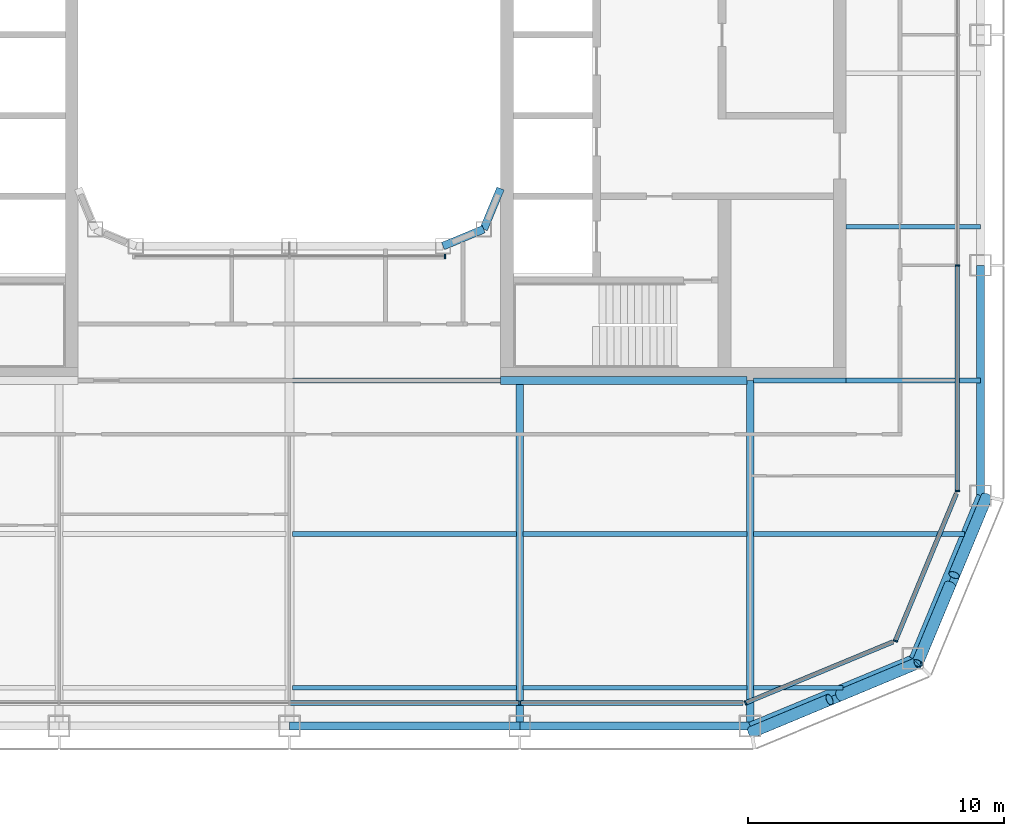
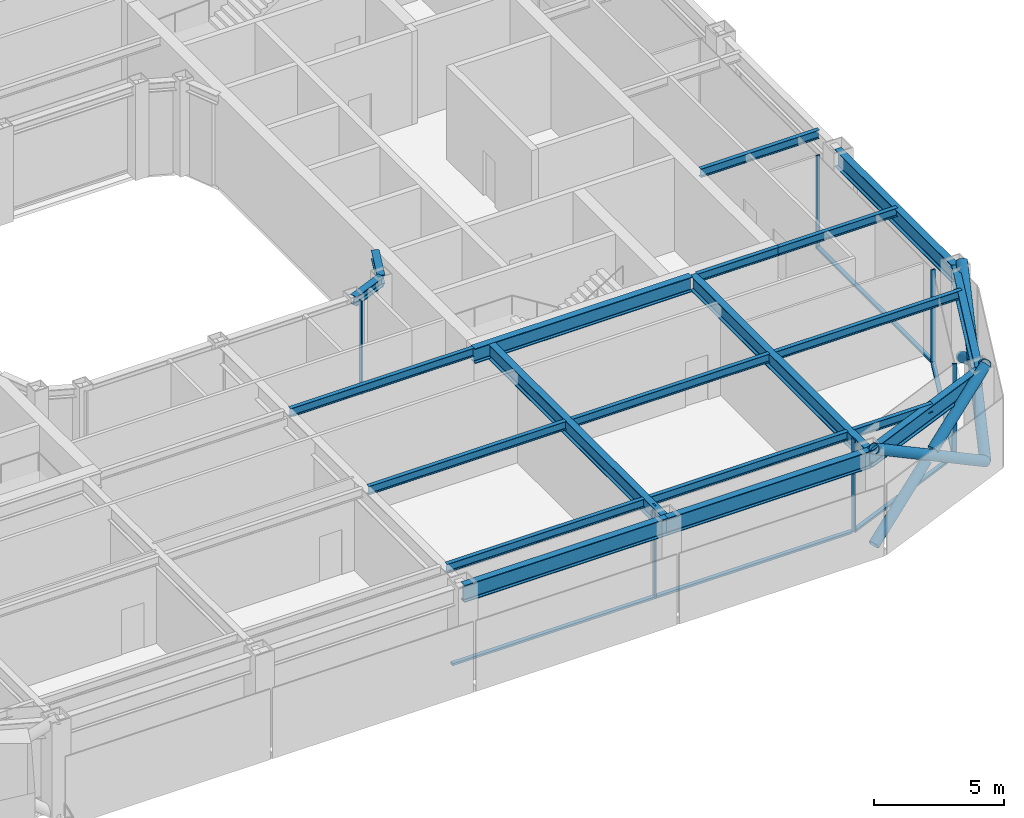
# One storey, part 4 of 23: 20 beams, 17 members, 5 elements without a shape of their own.
"""IFC4 building model written with IfcOpenShell, lengths in metres."""

import ifcopenshell
import ifcopenshell.guid

model = None  # the IFC model being written
_history = None  # IfcOwnerHistory: only IFC2X3 demands one
_inside = {}  # id of a spatial element -> (the spatial element, [elements in it])
_under = {}  # id of a project, library or spatial element -> (it, [spatial elements below it])
_declared = {}  # id of a project -> (the project, [libraries it declares])
_typed = {}  # id of a type object -> (the type object, [elements of that type])
_made_of = {}  # id of a material, layer set ... -> (it, [elements and type objects made of it])


def new_model(schema):
    """Start an empty IFC model of exactly this schema.

    Asked for "IFC4X3", IfcOpenShell would pick the latest addendum, in which some entities
    have other attributes; the version numbers below select the first issue.
    IFC2X3 requires an IfcOwnerHistory on every rooted entity: one is made here for all.
    """
    global model, _history
    if schema == "IFC4X3":
        model = ifcopenshell.file(schema_version=(4, 3, 0, 0))
    else:
        model = ifcopenshell.file(schema=schema)
    _inside.clear()
    _under.clear()
    _declared.clear()
    _typed.clear()
    _made_of.clear()
    _history = None
    if model.schema == "IFC2X3":
        org = make("IfcOrganization", Name="unknown")
        user = make(
            "IfcPersonAndOrganization",
            ThePerson=make("IfcPerson", FamilyName="unknown"),
            TheOrganization=org,
        )
        app = make(
            "IfcApplication",
            ApplicationDeveloper=org,
            Version="unknown",
            ApplicationFullName="unknown",
            ApplicationIdentifier="unknown",
        )
        _history = make(
            "IfcOwnerHistory",
            OwningUser=user,
            OwningApplication=app,
            ChangeAction="ADDED",
            CreationDate=0,
        )
    return model


def make(cls, **values):
    """One entity of the class cls with the attributes given. An attribute that is None is left unset."""
    return model.create_entity(
        cls, **{name: value for name, value in values.items() if value is not None}
    )


def rooted(cls, **values):
    """An entity with a GlobalId (a new one), such as an element, a storey or a relation."""
    return make(cls, GlobalId=ifcopenshell.guid.new(), OwnerHistory=_history, **values)


def si_unit(unit_type, name, prefix=None):
    """IfcSIUnit, for example si_unit("LENGTHUNIT", "METRE", prefix="MILLI")."""
    return make("IfcSIUnit", UnitType=unit_type, Prefix=prefix, Name=name)


def assignment(units):
    """IfcUnitAssignment: the units of a project."""
    return None if units is None else make("IfcUnitAssignment", Units=units)


def point(xyz):
    """IfcCartesianPoint."""
    return None if xyz is None else make("IfcCartesianPoint", Coordinates=xyz)


def direction(xyz):
    """IfcDirection."""
    return None if xyz is None else make("IfcDirection", DirectionRatios=xyz)


def frame(location, z_axis=None, x_axis=None):
    """IfcAxis2Placement3D, a coordinate frame: its origin and axes. An axis left out is left unset."""
    return make(
        "IfcAxis2Placement3D",
        Location=point(location),
        Axis=direction(z_axis),
        RefDirection=direction(x_axis),
    )


def frame_2d(location, x_axis=None):
    """IfcAxis2Placement2D, a coordinate frame in the plane: its origin and x axis."""
    return make(
        "IfcAxis2Placement2D", Location=point(location), RefDirection=direction(x_axis)
    )


def origin():
    """The frame at (0, 0, 0) with its axes left unset."""
    return frame((0.0, 0.0, 0.0))


def origin_2d():
    """The frame at (0, 0) in the plane with its x axis left unset."""
    return frame_2d((0.0, 0.0))


def place(relative_to, where):
    """IfcLocalPlacement: puts the frame where relative to a parent placement (None: the world)."""
    return make(
        "IfcLocalPlacement", PlacementRelTo=relative_to, RelativePlacement=where
    )


def context(
    kind, dimensions, precision=None, world=None, true_north=None, identifier=None
):
    """IfcGeometricRepresentationContext, for example the 3D "Model" context."""
    return make(
        "IfcGeometricRepresentationContext",
        ContextIdentifier=identifier,
        ContextType=kind,
        CoordinateSpaceDimension=dimensions,
        Precision=precision,
        WorldCoordinateSystem=world,
        TrueNorth=true_north,
    )


def subcontext(parent, identifier, kind, view, scale=None):
    """IfcGeometricRepresentationSubContext, for example "Body" below "Model"."""
    return make(
        "IfcGeometricRepresentationSubContext",
        ContextIdentifier=identifier,
        ContextType=kind,
        ParentContext=parent,
        TargetScale=scale,
        TargetView=view,
    )


def project(units=None, contexts=None):
    """IfcProject with its units and contexts."""
    return rooted(
        "IfcProject",
        Name="project",
        RepresentationContexts=contexts,
        UnitsInContext=assignment(units),
    )


def spatial(cls, under=None, at=None, **own):
    """A site, building, storey or space (cls), placed at a placement, below another one or the project."""
    s = rooted(cls, ObjectPlacement=at, **own)
    if under is not None:
        _under.setdefault(under.id(), (under, []))[1].append(s)
    return s


def profile(cls, at=None, kind="AREA", **sizes):
    """A parametric profile (cls). Its sizes go by their IFC names, for example OverallWidth=200.0."""
    return make(cls, ProfileType=kind, Position=at, **sizes)


def rectangle(**sizes):
    """IfcRectangleProfileDef."""
    return profile("IfcRectangleProfileDef", **sizes)


def hollow_circle(**sizes):
    """IfcCircleHollowProfileDef."""
    return profile("IfcCircleHollowProfileDef", **sizes)


def i_section(**sizes):
    """IfcIShapeProfileDef."""
    return profile("IfcIShapeProfileDef", **sizes)


def extrude(swept, where, along, depth):
    """IfcExtrudedAreaSolid: the profile swept, set in the frame where, extruded along a direction by depth."""
    return make(
        "IfcExtrudedAreaSolid",
        SweptArea=swept,
        Position=where,
        ExtrudedDirection=direction(along),
        Depth=depth,
    )


def shape(context_of_items, identifier, shape_type, items):
    """IfcShapeRepresentation: the items that make up one representation, for example the "Body"."""
    return make(
        "IfcShapeRepresentation",
        ContextOfItems=context_of_items,
        RepresentationIdentifier=identifier,
        RepresentationType=shape_type,
        Items=items,
    )


def material(Name=None, Category=None):
    """IfcMaterial."""
    return make("IfcMaterial", Name=Name, Category=Category)


def layer(
    of_material, thickness, ventilated=None, Name=None, Category=None, Priority=None
):
    """IfcMaterialLayer: one layer of a wall or slab, of a material (None: an air gap)."""
    return make(
        "IfcMaterialLayer",
        Material=of_material,
        LayerThickness=thickness,
        IsVentilated=ventilated,
        Name=Name,
        Category=Category,
        Priority=Priority,
    )


def layer_set(layers, Name=None):
    """IfcMaterialLayerSet."""
    return make("IfcMaterialLayerSet", MaterialLayers=layers, LayerSetName=Name)


def material_profile(
    of_material, cross_section, Name=None, Category=None, Priority=None
):
    """IfcMaterialProfile: a cross section and its material."""
    return make(
        "IfcMaterialProfile",
        Name=Name,
        Material=of_material,
        Profile=cross_section,
        Priority=Priority,
        Category=Category,
    )


def profile_set(profiles, Name=None, composite=None):
    """IfcMaterialProfileSet."""
    return make(
        "IfcMaterialProfileSet",
        Name=Name,
        MaterialProfiles=profiles,
        CompositeProfile=composite,
    )


def made_of(thing, what):
    """Note that an element or type object is made of a material, layer set ...; save() writes the relation."""
    if what is not None:
        _made_of.setdefault(what.id(), (what, []))[1].append(thing)
    return thing


def type_object(cls, material=None, **own):
    """A type object (cls), such as IfcWallType, which elements share."""
    return made_of(rooted(cls, **own), material)


def element(
    cls,
    number,
    at=None,
    inside=None,
    cuts=None,
    type_object=None,
    material=None,
    context=None,
    identifier="Body",
    shape_type=None,
    held_by="IfcProductDefinitionShape",
    body=None,
    shapes=None,
    **own,
):
    """One element of the class cls, such as IfcWall. Its Tag is "e" and its number.

    at: its placement. inside: the storey or other place that contains it. cuts: it is an
    opening in that element (IfcRelVoidsElement). A single representation is given by context,
    identifier, shape_type and body (its items); several are given by shapes. held_by: the class
    of the entity that holds the representations. save() writes the other relations.
    """
    e = rooted(cls, Tag="e%d" % number, ObjectPlacement=at, **own)
    if body is not None:
        shapes = [shape(context, identifier, shape_type, body)]
    if shapes is not None:
        e.Representation = make(held_by, Representations=shapes)
    if inside is not None:
        _inside.setdefault(inside.id(), (inside, []))[1].append(e)
    if cuts is not None:
        rooted(
            "IfcRelVoidsElement", RelatingBuildingElement=cuts, RelatedOpeningElement=e
        )
    if type_object is not None:
        _typed.setdefault(type_object.id(), (type_object, []))[1].append(e)
    return made_of(e, material)


def aggregate(whole, parts):
    """IfcRelAggregates: a whole, such as a stair, and the parts it consists of."""
    return rooted("IfcRelAggregates", RelatingObject=whole, RelatedObjects=parts)


def save(model, path):
    """Write the relations noted so far, then the file.

    IfcRelAggregates (storeys below a building ...), IfcRelContainedInSpatialStructure (elements
    in a storey), IfcRelDefinesByType, IfcRelAssociatesMaterial and IfcRelDeclares: one each for
    every whole, place, type object, material and project.
    """
    for whole, parts in _under.values():
        aggregate(whole, parts)
    for where, things in _inside.values():
        rooted(
            "IfcRelContainedInSpatialStructure",
            RelatedElements=things,
            RelatingStructure=where,
        )
    for kind, things in _typed.values():
        rooted("IfcRelDefinesByType", RelatedObjects=things, RelatingType=kind)
    for what, things in _made_of.values():
        rooted("IfcRelAssociatesMaterial", RelatedObjects=things, RelatingMaterial=what)
    for by, libraries in _declared.values():
        rooted("IfcRelDeclares", RelatingContext=by, RelatedDefinitions=libraries)
    model.write(path)


model = new_model("IFC4")

# Units and contexts
model_context = context("Model", 3, precision=1e-05, world=origin(), true_north=direction((0.0, 1.0)))
body_context = subcontext(model_context, "Body", "Model", "MODEL_VIEW")
ifc_project = project(units=[si_unit("LENGTHUNIT", "METRE"), si_unit("AREAUNIT", "SQUARE_METRE"), si_unit("VOLUMEUNIT", "CUBIC_METRE"), si_unit("PLANEANGLEUNIT", "RADIAN"), si_unit("MASSUNIT", "GRAM", prefix="KILO")], contexts=[model_context])

# Site, building, storey
site_placement = place(None, origin())
site = spatial("IfcSite", under=ifc_project, at=site_placement, CompositionType="ELEMENT")
building_placement = place(site_placement, origin())
building = spatial("IfcBuilding", under=site, at=building_placement, Name="Siwar Civic Tower", CompositionType="ELEMENT")
storey_placement = place(building_placement, frame((0.0, 0.0, 233.199951171875)))
storey = spatial("IfcBuildingStorey", under=building, at=storey_placement, Name="L50", CompositionType="ELEMENT", Elevation=233.199951171875)

# Curtain wall, member
ifc_material_1 = material(Name="Aluminium and glass", Category="aluminium")
ifc_layer_1 = layer(ifc_material_1, 0.179931640625)
ifc_layer_set_1 = layer_set([ifc_layer_1], Name="Aluminium and glass")
curtain_wall_type_1 = type_object("IfcCurtainWallType", Name="ENV-CW-C", PredefinedType="NOTDEFINED", material=ifc_layer_set_1)
curtain_wall_1_placement = place(storey_placement, origin())
curtain_wall_1 = element("IfcCurtainWall", 1, at=curtain_wall_1_placement, inside=storey, type_object=curtain_wall_type_1, Name="Curtain wall C S", PredefinedType="NOTDEFINED")
ifc_material_2 = material(Name="Aluminium 6063-T6", Category="aluminium")
ifc_material_profile_1 = material_profile(ifc_material_2, rectangle(XDim=0.179931640625, YDim=0.06005859375, at=origin_2d()), Name="AL 180x60")
ifc_profile_set_1 = profile_set([ifc_material_profile_1], Name="Aluminium 6063-T6")
member_type_1 = type_object("IfcMemberType", Name="ENV-MULLION-C", PredefinedType="MULLION", material=ifc_profile_set_1)
member_1_placement = place(storey_placement, frame((9.0, -26.10009765625, 0.0), z_axis=(0.0, 0.0, 1.0), x_axis=(0.0, 1.0, 0.0)))
member_1 = element("IfcMember", 2, at=member_1_placement, type_object=member_type_1, Name="Mullion C S 4", PredefinedType="MULLION", context=body_context, shape_type="SweptSolid", body=[
    extrude(rectangle(XDim=0.179931640625, YDim=0.06005859375, at=origin_2d()), origin(), (0.0, 0.0, 1.0), 4.35009765625),
])

ifc_material_3 = material(Name="Aluminium clad insulated panel", Category="aluminium")
ifc_layer_2 = layer(ifc_material_3, 0.179931640625)
ifc_layer_set_2 = layer_set([ifc_layer_2], Name="Aluminium clad insulated panel")
curtain_wall_type_2 = type_object("IfcCurtainWallType", Name="ENV-CW-CX", PredefinedType="NOTDEFINED", material=ifc_layer_set_2)
curtain_wall_2_placement = place(storey_placement, origin())
curtain_wall_2 = element("IfcCurtainWall", 3, at=curtain_wall_2_placement, inside=storey, type_object=curtain_wall_type_2, Name="Curtain wall C SE1", PredefinedType="NOTDEFINED")
member_2_placement = place(storey_placement, frame((17.821044921875, -26.10009765625, 0.0), z_axis=(0.0, 0.0, 1.0), x_axis=(-0.382683432365, 0.923879532511, 0.0)))
member_2 = element("IfcMember", 4, at=member_2_placement, type_object=member_type_1, Name="Mullion C SE1 1", PredefinedType="MULLION", context=body_context, shape_type="SweptSolid", body=[
    extrude(rectangle(XDim=0.179931640625, YDim=0.06005859375, at=origin_2d()), origin(), (0.0, 0.0, 1.0), 4.35009765625),
])

curtain_wall_3_placement = place(storey_placement, origin())
curtain_wall_3 = element("IfcCurtainWall", 5, at=curtain_wall_3_placement, inside=storey, type_object=curtain_wall_type_2, Name="Curtain wall C SE2", PredefinedType="NOTDEFINED")
member_3_placement = place(storey_placement, frame((23.675048828125, -23.675048828125, 0.0), z_axis=(0.0, 0.0, 1.0), x_axis=(-0.923879532511, 0.382683432365, 0.0)))
member_3 = element("IfcMember", 6, at=member_3_placement, type_object=member_type_1, Name="Mullion C SE2 1", PredefinedType="MULLION", context=body_context, shape_type="SweptSolid", body=[
    extrude(rectangle(XDim=0.179931640625, YDim=0.06005859375, at=origin_2d()), origin(), (0.0, 0.0, 1.0), 4.35009765625),
])

# Curtain wall, members
curtain_wall_4_placement = place(storey_placement, origin())
curtain_wall_4 = element("IfcCurtainWall", 7, at=curtain_wall_4_placement, inside=storey, type_object=curtain_wall_type_1, Name="Curtain wall C E", PredefinedType="NOTDEFINED")
member_4_placement = place(storey_placement, frame((26.10009765625, -17.821044921875, 0.0), z_axis=(0.0, 0.0, 1.0), x_axis=(-1.0, 0.0, 0.0)))
member_4 = element("IfcMember", 8, at=member_4_placement, type_object=member_type_1, Name="Mullion C E 1", PredefinedType="MULLION", context=body_context, shape_type="SweptSolid", body=[
    extrude(rectangle(XDim=0.179931640625, YDim=0.06005859375, at=origin_2d()), origin(), (0.0, 0.0, 1.0), 4.35009765625),
])
member_5_placement = place(storey_placement, frame((26.10009765625, -9.0, 0.0), z_axis=(0.0, 0.0, 1.0), x_axis=(-1.0, 0.0, 0.0)))
member_5 = element("IfcMember", 9, at=member_5_placement, type_object=member_type_1, Name="Mullion C E 2", PredefinedType="MULLION", context=body_context, shape_type="SweptSolid", body=[
    extrude(rectangle(XDim=0.179931640625, YDim=0.06005859375, at=origin_2d()), origin(), (0.0, 0.0, 1.0), 4.35009765625),
])

# Curtain wall, member
ifc_material_4 = material(Name="Aluminium and glass", Category="aluminium")
ifc_layer_3 = layer(ifc_material_4, 0.179931640625)
ifc_layer_set_3 = layer_set([ifc_layer_3], Name="Aluminium and glass")
curtain_wall_type_3 = type_object("IfcCurtainWallType", Name="ENV-CW-W", PredefinedType="NOTDEFINED", material=ifc_layer_set_3)
curtain_wall_5_placement = place(storey_placement, origin())
curtain_wall_5 = element("IfcCurtainWall", 10, at=curtain_wall_5_placement, inside=storey, type_object=curtain_wall_type_3, Name="Curtain wall W WS", PredefinedType="NOTDEFINED")
ifc_material_5 = material(Name="Aluminium 6063-T6", Category="aluminium")
ifc_material_profile_2 = material_profile(ifc_material_5, rectangle(XDim=0.179931640625, YDim=0.06005859375, at=origin_2d()), Name="AL 180x60")
ifc_profile_set_2 = profile_set([ifc_material_profile_2], Name="Aluminium 6063-T6")
member_type_2 = type_object("IfcMemberType", Name="ENV-MULLION-W", PredefinedType="MULLION", material=ifc_profile_set_2)
member_6_placement = place(storey_placement, frame((6.08154296875, -8.659912109375, 0.0), z_axis=(0.0, 0.0, 1.0), x_axis=(0.0, 1.0, 0.0)))
member_6 = element("IfcMember", 11, at=member_6_placement, type_object=member_type_2, Name="Mullion W WS 3", PredefinedType="MULLION", context=body_context, shape_type="SweptSolid", body=[
    extrude(rectangle(XDim=0.179931640625, YDim=0.06005859375, at=origin_2d()), origin(), (0.0, 0.0, 1.0), 4.35009765625),
])
aggregate(curtain_wall_5, [member_6])

# Member
ifc_material_6 = material(Name="Aluminium 6063-T6", Category="aluminium")
ifc_material_profile_3 = material_profile(ifc_material_6, rectangle(XDim=0.179931640625, YDim=0.10009765625, at=origin_2d()), Name="AL 180x100")
ifc_profile_set_3 = profile_set([ifc_material_profile_3], Name="Aluminium 6063-T6")
member_type_3 = type_object("IfcMemberType", Name="ENV-TRANSOM-C", PredefinedType="USERDEFINED", material=ifc_profile_set_3)
member_7_placement = place(storey_placement, frame((0.030029296875, -26.10009765625, 0.050048828125), z_axis=(1.0, 0.0, 0.0), x_axis=(0.0, 1.0, 0.0)))
member_7 = element("IfcMember", 12, at=member_7_placement, type_object=member_type_3, Name="Transom C S 3", ObjectType="TRANSOM", PredefinedType="USERDEFINED", context=body_context, shape_type="SweptSolid", body=[
    extrude(rectangle(XDim=0.179931640625, YDim=0.10009765625, at=origin_2d()), origin(), (0.0, 0.0, 1.0), 8.93994140625),
])

member_8_placement = place(storey_placement, frame((9.030029296875, -26.10009765625, 0.050048828125), z_axis=(1.0, 0.0, 0.0), x_axis=(0.0, 1.0, 0.0)))
member_8 = element("IfcMember", 13, at=member_8_placement, type_object=member_type_3, Name="Transom C S 4", ObjectType="TRANSOM", PredefinedType="USERDEFINED", context=body_context, shape_type="SweptSolid", body=[
    extrude(rectangle(XDim=0.179931640625, YDim=0.10009765625, at=origin_2d()), origin(), (0.0, 0.0, 1.0), 8.68603515625),
])

aggregate(curtain_wall_1, [member_1, member_7, member_8])

member_9_placement = place(storey_placement, frame((17.8486328125, -26.088623046875, 0.050048828125), z_axis=(0.923882011223, 0.38267744817, 0.0), x_axis=(-0.38267744817, 0.923882011223, 0.0)))
member_9 = element("IfcMember", 14, at=member_9_placement, type_object=member_type_3, Name="Transom C SE1 1", ObjectType="TRANSOM", PredefinedType="USERDEFINED", context=body_context, shape_type="SweptSolid", body=[
    extrude(rectangle(XDim=0.179931640625, YDim=0.10009765625, at=origin_2d()), origin(), (0.0, 0.0, 1.0), 6.201904296875),
])

aggregate(curtain_wall_2, [member_2, member_9])

member_10_placement = place(storey_placement, frame((23.6865234375, -23.6474609375, 0.050048828125), z_axis=(0.382691366456, 0.923876246063, 0.0), x_axis=(-0.923876246063, 0.382691366456, 0.0)))
member_10 = element("IfcMember", 15, at=member_10_placement, type_object=member_type_3, Name="Transom C SE2 1", ObjectType="TRANSOM", PredefinedType="USERDEFINED", context=body_context, shape_type="SweptSolid", body=[
    extrude(rectangle(XDim=0.179931640625, YDim=0.10009765625, at=origin_2d()), origin(), (0.0, 0.0, 1.0), 6.20166015625),
])

aggregate(curtain_wall_3, [member_3, member_10])

member_11_placement = place(storey_placement, frame((26.10009765625, -17.791015625, 0.050048828125), z_axis=(0.0, 1.0, 0.0), x_axis=(-1.0, 0.0, 0.0)))
member_11 = element("IfcMember", 16, at=member_11_placement, type_object=member_type_3, Name="Transom C E 1", ObjectType="TRANSOM", PredefinedType="USERDEFINED", context=body_context, shape_type="SweptSolid", body=[
    extrude(rectangle(XDim=0.179931640625, YDim=0.10009765625, at=origin_2d()), origin(), (0.0, 0.0, 1.0), 8.760986328125),
])

aggregate(curtain_wall_4, [member_4, member_5, member_11])

# Members
ifc_material_7 = material(Name="Steel S355", Category="steel")
ifc_material_profile_4 = material_profile(ifc_material_7, hollow_circle(Radius=0.228515625, WallThickness=0.02001953125, at=origin_2d()), Name="CHS457x20")
ifc_profile_set_4 = profile_set([ifc_material_profile_4], Name="Steel S355")
member_type_4 = type_object("IfcMemberType", Name="STR-BR-CHS457x20", PredefinedType="BRACE", material=ifc_profile_set_4)
member_12_placement = place(storey_placement, frame((24.540771484375, -24.540771484375, 0.0), z_axis=(0.323905527954, 0.777554562952, 0.538975055633), x_axis=(-0.923108759191, 0.384538969033, 0.0)))
element("IfcMember", 17, at=member_12_placement, inside=storey, type_object=member_type_4, Name="L50/brc/CSE1-10-0-1", PredefinedType="BRACE", context=body_context, shape_type="SweptSolid", body=[
    extrude(hollow_circle(Radius=0.228515625, WallThickness=0.02001953125, at=origin_2d()), origin(), (0.0, 0.0, 1.0), 8.34912109375),
])
for number, where, z_axis, x_axis, name in (
    (18, (27.2451171875, -18.048828125, 0.0), (-0.323884455881, -0.777546448489, 0.538999424564), (0.92311621485, -0.38452107079, 0.0), "L50/brc/CSE1-10-0-2"),
    (19, (25.81298828125, -21.486572265625, 2.383056640625), (-0.323895306243, -0.777572496853, 0.538955325357), (0.92311621485, -0.38452107079, 0.0), "L50/brc/CSE1-10-0-3"),
):
    element("IfcMember", number, at=place(storey_placement, frame(where, z_axis=z_axis, x_axis=x_axis)), inside=storey, type_object=member_type_4, Name=name, PredefinedType="BRACE", context=body_context, shape_type="SweptSolid", body=[
        extrude(hollow_circle(Radius=0.228515625, WallThickness=0.02001953125, at=origin_2d()), origin(), (0.0, 0.0, 1.0), 3.927978515625),
    ])
member_13_placement = place(storey_placement, frame((24.540771484375, -24.540771484375, 0.0), z_axis=(-0.777554562952, -0.323905527954, 0.538975055633), x_axis=(0.384538969033, -0.923108759191, 0.0)))
element("IfcMember", 20, at=member_13_placement, inside=storey, type_object=member_type_4, Name="L50/brc/CSE1-10-0-0", PredefinedType="BRACE", context=body_context, shape_type="SweptSolid", body=[
    extrude(hollow_circle(Radius=0.228515625, WallThickness=0.02001953125, at=origin_2d()), origin(), (0.0, 0.0, 1.0), 8.34912109375),
])
for number, where, z_axis, x_axis, name in (
    (21, (18.048828125, -27.2451171875, 0.0), (0.777546448489, 0.323884455881, 0.538999424564), (-0.38452107079, 0.92311621485, 0.0), "L50/brc/CSE1-10-0-4"),
    (22, (21.486572265625, -25.81298828125, 2.383056640625), (0.777572496853, 0.323895306243, 0.538955325357), (-0.38452107079, 0.92311621485, 0.0), "L50/brc/CSE1-10-0-5"),
):
    element("IfcMember", number, at=place(storey_placement, frame(where, z_axis=z_axis, x_axis=x_axis)), inside=storey, type_object=member_type_4, Name=name, PredefinedType="BRACE", context=body_context, shape_type="SweptSolid", body=[
        extrude(hollow_circle(Radius=0.228515625, WallThickness=0.02001953125, at=origin_2d()), origin(), (0.0, 0.0, 1.0), 3.927978515625),
    ])

# Beams
ifc_material_8 = material(Name="Steel S355", Category="steel")
ifc_material_profile_5 = material_profile(ifc_material_8, i_section(OverallWidth=0.179931640625, OverallDepth=0.39990234375, WebThickness=0.008544921875, FlangeThickness=0.013427734375, FilletRadius=0.02099609375, at=origin_2d()), Name="IPE400")
ifc_profile_set_5 = profile_set([ifc_material_profile_5], Name="Steel S355")
beam_type_1 = type_object("IfcBeamType", Name="STR-FB-IPE400", PredefinedType="JOIST", material=ifc_profile_set_5)
for number, where, z_axis, x_axis, name in (
    (23, (0.1298828125, -25.5, 4.150146484375), (1.0, 0.0, 0.0), (0.0, 1.0, 0.0), "L50/bm/F004"),
    (24, (9.1298828125, -25.5, 4.150146484375), (1.0, 0.0, 0.0), (0.0, 1.0, 0.0), "L50/bm/F005"),
):
    element("IfcBeam", number, at=place(storey_placement, frame(where, z_axis=z_axis, x_axis=x_axis)), inside=storey, type_object=beam_type_1, Name=name, PredefinedType="JOIST", context=body_context, shape_type="SweptSolid", body=[
        extrude(i_section(OverallWidth=0.179931640625, OverallDepth=0.39990234375, WebThickness=0.008544921875, FlangeThickness=0.013427734375, FilletRadius=0.02099609375, at=origin_2d()), origin(), (0.0, 0.0, 1.0), 8.740234375),
    ])
beam_1_placement = place(storey_placement, frame((18.1298828125, -25.5, 4.150146484375), z_axis=(1.0, 0.0, 0.0), x_axis=(0.0, 1.0, 0.0)))
element("IfcBeam", 25, at=beam_1_placement, inside=storey, type_object=beam_type_1, Name="L50/bm/F006", PredefinedType="JOIST", context=body_context, shape_type="SweptSolid", body=[
    extrude(i_section(OverallWidth=0.179931640625, OverallDepth=0.39990234375, WebThickness=0.008544921875, FlangeThickness=0.013427734375, FilletRadius=0.02099609375, at=origin_2d()), origin(), (0.0, 0.0, 1.0), 3.491455078125),
])
for number, where, z_axis, x_axis, name in (
    (26, (0.1298828125, -19.5, 4.150146484375), (1.0, 0.0, 0.0), (0.0, 1.0, 0.0), "L50/bm/F010"),
    (27, (9.1298828125, -19.5, 4.150146484375), (1.0, 0.0, 0.0), (0.0, 1.0, 0.0), "L50/bm/F011"),
):
    element("IfcBeam", number, at=place(storey_placement, frame(where, z_axis=z_axis, x_axis=x_axis)), inside=storey, type_object=beam_type_1, Name=name, PredefinedType="JOIST", context=body_context, shape_type="SweptSolid", body=[
        extrude(i_section(OverallWidth=0.179931640625, OverallDepth=0.39990234375, WebThickness=0.008544921875, FlangeThickness=0.013427734375, FilletRadius=0.02099609375, at=origin_2d()), origin(), (0.0, 0.0, 1.0), 8.740234375),
    ])
beam_2_placement = place(storey_placement, frame((18.1298828125, -19.5, 4.150146484375), z_axis=(1.0, 0.0, 0.0), x_axis=(0.0, 1.0, 0.0)))
element("IfcBeam", 28, at=beam_2_placement, inside=storey, type_object=beam_type_1, Name="L50/bm/F012", PredefinedType="JOIST", context=body_context, shape_type="SweptSolid", body=[
    extrude(i_section(OverallWidth=0.179931640625, OverallDepth=0.39990234375, WebThickness=0.008544921875, FlangeThickness=0.013427734375, FilletRadius=0.02099609375, at=origin_2d()), origin(), (0.0, 0.0, 1.0), 8.248779296875),
])
beam_3_placement = place(storey_placement, frame((0.1298828125, -13.5, 4.150146484375), z_axis=(1.0, 0.0, 0.0), x_axis=(0.0, 1.0, 0.0)))
element("IfcBeam", 29, at=beam_3_placement, inside=storey, type_object=beam_type_1, Name="L50/bm/F017", PredefinedType="JOIST", context=body_context, shape_type="SweptSolid", body=[
    extrude(i_section(OverallWidth=0.179931640625, OverallDepth=0.39990234375, WebThickness=0.008544921875, FlangeThickness=0.013427734375, FilletRadius=0.02099609375, at=origin_2d()), origin(), (0.0, 0.0, 1.0), 8.1201171875),
])
beam_4_placement = place(storey_placement, frame((18.1298828125, -13.5, 4.150146484375), z_axis=(1.0, 0.0, 0.0), x_axis=(0.0, 1.0, 0.0)))
element("IfcBeam", 30, at=beam_4_placement, inside=storey, type_object=beam_type_1, Name="L50/bm/F019", PredefinedType="JOIST", context=body_context, shape_type="SweptSolid", body=[
    extrude(i_section(OverallWidth=0.179931640625, OverallDepth=0.39990234375, WebThickness=0.008544921875, FlangeThickness=0.013427734375, FilletRadius=0.02099609375, at=origin_2d()), origin(), (0.0, 0.0, 1.0), 3.6201171875),
])
for number, where, z_axis, x_axis, name in (
    (31, (21.75, -13.5, 4.150146484375), (1.0, 0.0, 0.0), (0.0, 1.0, 0.0), "L50/bm/F020"),
    (32, (21.75, -7.5, 4.150146484375), (1.0, 0.0, 0.0), (0.0, 1.0, 0.0), "L50/bm/F022"),
):
    element("IfcBeam", number, at=place(storey_placement, frame(where, z_axis=z_axis, x_axis=x_axis)), inside=storey, type_object=beam_type_1, Name=name, PredefinedType="JOIST", context=body_context, shape_type="SweptSolid", body=[
        extrude(i_section(OverallWidth=0.179931640625, OverallDepth=0.39990234375, WebThickness=0.008544921875, FlangeThickness=0.013427734375, FilletRadius=0.02099609375, at=origin_2d()), origin(), (0.0, 0.0, 1.0), 5.25),
    ])
ifc_material_9 = material(Name="Steel S355", Category="steel")
ifc_material_profile_6 = material_profile(ifc_material_9, i_section(OverallWidth=0.300048828125, OverallDepth=0.699951171875, WebThickness=0.01708984375, FlangeThickness=0.031982421875, FilletRadius=0.027099609375, at=origin_2d()), Name="HEB700")
ifc_profile_set_6 = profile_set([ifc_material_profile_6], Name="Steel S355")
beam_type_2 = type_object("IfcBeamType", Name="STR-PG-HEB700", PredefinedType="BEAM", material=ifc_profile_set_6)
for number, where, z_axis, x_axis, name in (
    (33, (9.0, -27.0, 4.0), (0.0, 1.0, 0.0), (-1.0, 0.0, 0.0), "L50/bm/G07"),
    (34, (18.0, -27.0, 4.0), (0.0, 1.0, 0.0), (-1.0, 0.0, 0.0), "L50/bm/G09"),
):
    element("IfcBeam", number, at=place(storey_placement, frame(where, z_axis=z_axis, x_axis=x_axis)), inside=storey, type_object=beam_type_2, Name=name, PredefinedType="BEAM", context=body_context, shape_type="SweptSolid", body=[
        extrude(i_section(OverallWidth=0.300048828125, OverallDepth=0.699951171875, WebThickness=0.01708984375, FlangeThickness=0.031982421875, FilletRadius=0.027099609375, at=origin_2d()), origin(), (0.0, 0.0, 1.0), 13.5),
    ])
beam_5_placement = place(storey_placement, frame((8.25, -13.5, 4.0), z_axis=(1.0, 0.0, 0.0), x_axis=(0.0, 1.0, 0.0)))
element("IfcBeam", 35, at=beam_5_placement, inside=storey, type_object=beam_type_2, Name="L50/bm/F018", PredefinedType="BEAM", context=body_context, shape_type="SweptSolid", body=[
    extrude(i_section(OverallWidth=0.300048828125, OverallDepth=0.699951171875, WebThickness=0.01708984375, FlangeThickness=0.031982421875, FilletRadius=0.027099609375, at=origin_2d()), origin(), (0.0, 0.0, 1.0), 9.6201171875),
])
ifc_material_10 = material(Name="Steel S355", Category="steel")
ifc_material_profile_7 = material_profile(ifc_material_10, i_section(OverallWidth=0.306884765625, OverallDepth=0.431884765625, WebThickness=0.02099609375, FlangeThickness=0.0400390625, FilletRadius=0.027099609375, at=origin_2d()), Name="HEM400")
ifc_profile_set_7 = profile_set([ifc_material_profile_7], Name="Steel S355")
beam_type_3 = type_object("IfcBeamType", Name="STR-RB-HEM400", PredefinedType="BEAM", material=ifc_profile_set_7)
for number, where, z_axis, x_axis, name in (
    (36, (6.0, -8.25, 4.134033203125), (0.923901072997, 0.382631424892, 0.0), (-0.382631424892, 0.923901072997, 0.0), "L50/bm/RS3"),
    (37, (7.591064453125, -7.591064453125, 4.134033203125), (0.382631424892, 0.923901072997, 0.0), (-0.923901072997, 0.382631424892, 0.0), "L50/bm/RSEE"),
):
    element("IfcBeam", number, at=place(storey_placement, frame(where, z_axis=z_axis, x_axis=x_axis)), inside=storey, type_object=beam_type_3, Name=name, PredefinedType="BEAM", context=body_context, shape_type="SweptSolid", body=[
        extrude(i_section(OverallWidth=0.306884765625, OverallDepth=0.431884765625, WebThickness=0.02099609375, FlangeThickness=0.0400390625, FilletRadius=0.027099609375, at=origin_2d()), origin(), (0.0, 0.0, 1.0), 1.72216796875),
    ])
ifc_material_11 = material(Name="Steel S355", Category="steel")
ifc_material_profile_8 = material_profile(ifc_material_11, i_section(OverallWidth=0.300048828125, OverallDepth=0.800048828125, WebThickness=0.017578125, FlangeThickness=0.032958984375, FilletRadius=0.030029296875, at=origin_2d()), Name="HEB800")
ifc_profile_set_8 = profile_set([ifc_material_profile_8], Name="Steel S355")
beam_type_4 = type_object("IfcBeamType", Name="STR-SB-HEB800", PredefinedType="BEAM", material=ifc_profile_set_8)
for number, where, z_axis, x_axis, name in (
    (38, (0.0, -27.0, 3.949951171875), (1.0, 0.0, 0.0), (0.0, 1.0, 0.0), "L50/bm/SS-2"),
    (39, (9.0, -27.0, 3.949951171875), (1.0, 0.0, 0.0), (0.0, 1.0, 0.0), "L50/bm/SS-3"),
):
    element("IfcBeam", number, at=place(storey_placement, frame(where, z_axis=z_axis, x_axis=x_axis)), inside=storey, type_object=beam_type_4, Name=name, PredefinedType="BEAM", context=body_context, shape_type="SweptSolid", body=[
        extrude(i_section(OverallWidth=0.300048828125, OverallDepth=0.800048828125, WebThickness=0.017578125, FlangeThickness=0.032958984375, FilletRadius=0.030029296875, at=origin_2d()), origin(), (0.0, 0.0, 1.0), 9.0),
    ])
for number, where, z_axis, x_axis, name in (
    (40, (18.0, -27.0, 3.949951171875), (0.923883353507, 0.382674207535, 0.0), (-0.382674207535, 0.923883353507, 0.0), "L50/bm/SSE1-0"),
    (41, (24.364013671875, -24.364013671875, 3.949951171875), (0.382674207535, 0.923883353507, 0.0), (-0.923883353507, 0.382674207535, 0.0), "L50/bm/SSE2-0"),
):
    element("IfcBeam", number, at=place(storey_placement, frame(where, z_axis=z_axis, x_axis=x_axis)), inside=storey, type_object=beam_type_4, Name=name, PredefinedType="BEAM", context=body_context, shape_type="SweptSolid", body=[
        extrude(i_section(OverallWidth=0.300048828125, OverallDepth=0.800048828125, WebThickness=0.017578125, FlangeThickness=0.032958984375, FilletRadius=0.030029296875, at=origin_2d()), origin(), (0.0, 0.0, 1.0), 6.888427734375),
    ])
beam_6_placement = place(storey_placement, frame((27.0, -18.0, 3.949951171875), z_axis=(0.0, 1.0, 0.0), x_axis=(-1.0, 0.0, 0.0)))
element("IfcBeam", 42, at=beam_6_placement, inside=storey, type_object=beam_type_4, Name="L50/bm/SE-0", PredefinedType="BEAM", context=body_context, shape_type="SweptSolid", body=[
    extrude(i_section(OverallWidth=0.300048828125, OverallDepth=0.800048828125, WebThickness=0.017578125, FlangeThickness=0.032958984375, FilletRadius=0.030029296875, at=origin_2d()), origin(), (0.0, 0.0, 1.0), 9.0),
])

save(model, "model.ifc")
